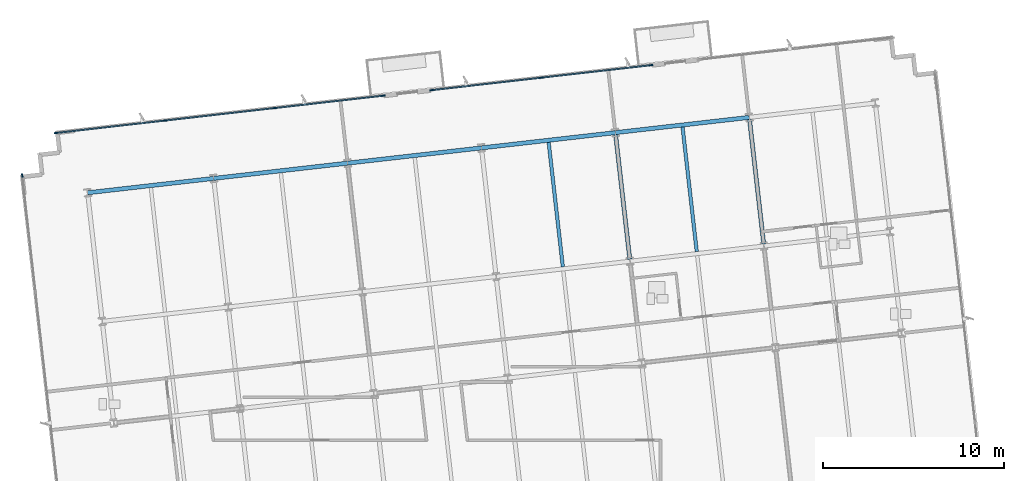
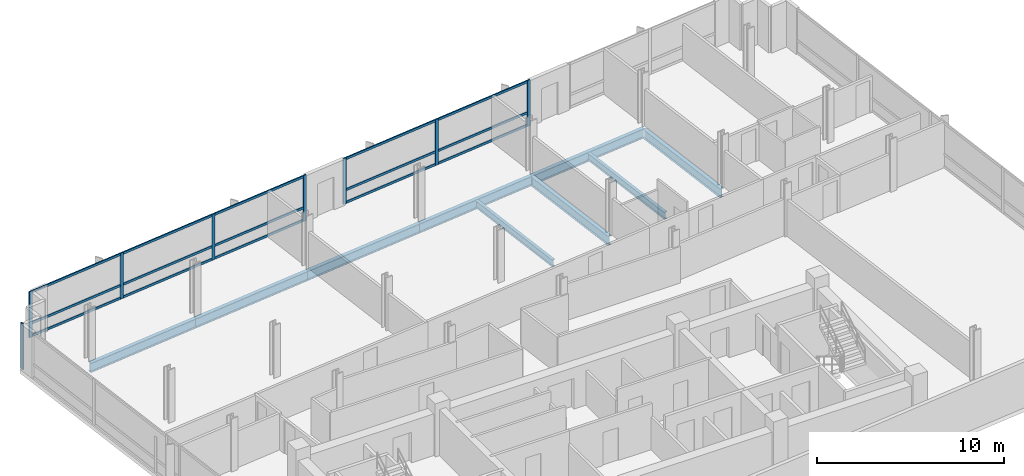
# One storey, part 5 of 14: 23 members, 9 beams, 3 elements without a shape of their own.
"""IFC4 building model written with IfcOpenShell, lengths in metres."""

import ifcopenshell
import ifcopenshell.guid

model = None  # the IFC model being written
_history = None  # IfcOwnerHistory: only IFC2X3 demands one
_inside = {}  # id of a spatial element -> (the spatial element, [elements in it])
_under = {}  # id of a project, library or spatial element -> (it, [spatial elements below it])
_declared = {}  # id of a project -> (the project, [libraries it declares])
_typed = {}  # id of a type object -> (the type object, [elements of that type])
_made_of = {}  # id of a material, layer set ... -> (it, [elements and type objects made of it])


def new_model(schema):
    """Start an empty IFC model of exactly this schema.

    Asked for "IFC4X3", IfcOpenShell would pick the latest addendum, in which some entities
    have other attributes; the version numbers below select the first issue.
    IFC2X3 requires an IfcOwnerHistory on every rooted entity: one is made here for all.
    """
    global model, _history
    if schema == "IFC4X3":
        model = ifcopenshell.file(schema_version=(4, 3, 0, 0))
    else:
        model = ifcopenshell.file(schema=schema)
    _inside.clear()
    _under.clear()
    _declared.clear()
    _typed.clear()
    _made_of.clear()
    _history = None
    if model.schema == "IFC2X3":
        org = make("IfcOrganization", Name="unknown")
        user = make(
            "IfcPersonAndOrganization",
            ThePerson=make("IfcPerson", FamilyName="unknown"),
            TheOrganization=org,
        )
        app = make(
            "IfcApplication",
            ApplicationDeveloper=org,
            Version="unknown",
            ApplicationFullName="unknown",
            ApplicationIdentifier="unknown",
        )
        _history = make(
            "IfcOwnerHistory",
            OwningUser=user,
            OwningApplication=app,
            ChangeAction="ADDED",
            CreationDate=0,
        )
    return model


def make(cls, **values):
    """One entity of the class cls with the attributes given. An attribute that is None is left unset."""
    return model.create_entity(
        cls, **{name: value for name, value in values.items() if value is not None}
    )


def rooted(cls, **values):
    """An entity with a GlobalId (a new one), such as an element, a storey or a relation."""
    return make(cls, GlobalId=ifcopenshell.guid.new(), OwnerHistory=_history, **values)


def si_unit(unit_type, name, prefix=None):
    """IfcSIUnit, for example si_unit("LENGTHUNIT", "METRE", prefix="MILLI")."""
    return make("IfcSIUnit", UnitType=unit_type, Prefix=prefix, Name=name)


def assignment(units):
    """IfcUnitAssignment: the units of a project."""
    return None if units is None else make("IfcUnitAssignment", Units=units)


def point(xyz):
    """IfcCartesianPoint."""
    return None if xyz is None else make("IfcCartesianPoint", Coordinates=xyz)


def direction(xyz):
    """IfcDirection."""
    return None if xyz is None else make("IfcDirection", DirectionRatios=xyz)


def frame(location, z_axis=None, x_axis=None):
    """IfcAxis2Placement3D, a coordinate frame: its origin and axes. An axis left out is left unset."""
    return make(
        "IfcAxis2Placement3D",
        Location=point(location),
        Axis=direction(z_axis),
        RefDirection=direction(x_axis),
    )


def frame_2d(location, x_axis=None):
    """IfcAxis2Placement2D, a coordinate frame in the plane: its origin and x axis."""
    return make(
        "IfcAxis2Placement2D", Location=point(location), RefDirection=direction(x_axis)
    )


def origin():
    """The frame at (0, 0, 0) with its axes left unset."""
    return frame((0.0, 0.0, 0.0))


def origin_2d():
    """The frame at (0, 0) in the plane with its x axis left unset."""
    return frame_2d((0.0, 0.0))


def place(relative_to, where):
    """IfcLocalPlacement: puts the frame where relative to a parent placement (None: the world)."""
    return make(
        "IfcLocalPlacement", PlacementRelTo=relative_to, RelativePlacement=where
    )


def context(
    kind, dimensions, precision=None, world=None, true_north=None, identifier=None
):
    """IfcGeometricRepresentationContext, for example the 3D "Model" context."""
    return make(
        "IfcGeometricRepresentationContext",
        ContextIdentifier=identifier,
        ContextType=kind,
        CoordinateSpaceDimension=dimensions,
        Precision=precision,
        WorldCoordinateSystem=world,
        TrueNorth=true_north,
    )


def subcontext(parent, identifier, kind, view, scale=None):
    """IfcGeometricRepresentationSubContext, for example "Body" below "Model"."""
    return make(
        "IfcGeometricRepresentationSubContext",
        ContextIdentifier=identifier,
        ContextType=kind,
        ParentContext=parent,
        TargetScale=scale,
        TargetView=view,
    )


def project(units=None, contexts=None):
    """IfcProject with its units and contexts."""
    return rooted(
        "IfcProject",
        Name="project",
        RepresentationContexts=contexts,
        UnitsInContext=assignment(units),
    )


def spatial(cls, under=None, at=None, **own):
    """A site, building, storey or space (cls), placed at a placement, below another one or the project."""
    s = rooted(cls, ObjectPlacement=at, **own)
    if under is not None:
        _under.setdefault(under.id(), (under, []))[1].append(s)
    return s


def profile(cls, at=None, kind="AREA", **sizes):
    """A parametric profile (cls). Its sizes go by their IFC names, for example OverallWidth=200.0."""
    return make(cls, ProfileType=kind, Position=at, **sizes)


def rectangle(**sizes):
    """IfcRectangleProfileDef."""
    return profile("IfcRectangleProfileDef", **sizes)


def i_section(**sizes):
    """IfcIShapeProfileDef."""
    return profile("IfcIShapeProfileDef", **sizes)


def extrude(swept, where, along, depth):
    """IfcExtrudedAreaSolid: the profile swept, set in the frame where, extruded along a direction by depth."""
    return make(
        "IfcExtrudedAreaSolid",
        SweptArea=swept,
        Position=where,
        ExtrudedDirection=direction(along),
        Depth=depth,
    )


def shape(context_of_items, identifier, shape_type, items):
    """IfcShapeRepresentation: the items that make up one representation, for example the "Body"."""
    return make(
        "IfcShapeRepresentation",
        ContextOfItems=context_of_items,
        RepresentationIdentifier=identifier,
        RepresentationType=shape_type,
        Items=items,
    )


def material(Name=None, Category=None):
    """IfcMaterial."""
    return make("IfcMaterial", Name=Name, Category=Category)


def material_profile(
    of_material, cross_section, Name=None, Category=None, Priority=None
):
    """IfcMaterialProfile: a cross section and its material."""
    return make(
        "IfcMaterialProfile",
        Name=Name,
        Material=of_material,
        Profile=cross_section,
        Priority=Priority,
        Category=Category,
    )


def profile_set(profiles, Name=None, composite=None):
    """IfcMaterialProfileSet."""
    return make(
        "IfcMaterialProfileSet",
        Name=Name,
        MaterialProfiles=profiles,
        CompositeProfile=composite,
    )


def made_of(thing, what):
    """Note that an element or type object is made of a material, layer set ...; save() writes the relation."""
    if what is not None:
        _made_of.setdefault(what.id(), (what, []))[1].append(thing)
    return thing


def type_object(cls, material=None, **own):
    """A type object (cls), such as IfcWallType, which elements share."""
    return made_of(rooted(cls, **own), material)


def element(
    cls,
    number,
    at=None,
    inside=None,
    cuts=None,
    type_object=None,
    material=None,
    context=None,
    identifier="Body",
    shape_type=None,
    held_by="IfcProductDefinitionShape",
    body=None,
    shapes=None,
    **own,
):
    """One element of the class cls, such as IfcWall. Its Tag is "e" and its number.

    at: its placement. inside: the storey or other place that contains it. cuts: it is an
    opening in that element (IfcRelVoidsElement). A single representation is given by context,
    identifier, shape_type and body (its items); several are given by shapes. held_by: the class
    of the entity that holds the representations. save() writes the other relations.
    """
    e = rooted(cls, Tag="e%d" % number, ObjectPlacement=at, **own)
    if body is not None:
        shapes = [shape(context, identifier, shape_type, body)]
    if shapes is not None:
        e.Representation = make(held_by, Representations=shapes)
    if inside is not None:
        _inside.setdefault(inside.id(), (inside, []))[1].append(e)
    if cuts is not None:
        rooted(
            "IfcRelVoidsElement", RelatingBuildingElement=cuts, RelatedOpeningElement=e
        )
    if type_object is not None:
        _typed.setdefault(type_object.id(), (type_object, []))[1].append(e)
    return made_of(e, material)


def aggregate(whole, parts):
    """IfcRelAggregates: a whole, such as a stair, and the parts it consists of."""
    return rooted("IfcRelAggregates", RelatingObject=whole, RelatedObjects=parts)


def save(model, path):
    """Write the relations noted so far, then the file.

    IfcRelAggregates (storeys below a building ...), IfcRelContainedInSpatialStructure (elements
    in a storey), IfcRelDefinesByType, IfcRelAssociatesMaterial and IfcRelDeclares: one each for
    every whole, place, type object, material and project.
    """
    for whole, parts in _under.values():
        aggregate(whole, parts)
    for where, things in _inside.values():
        rooted(
            "IfcRelContainedInSpatialStructure",
            RelatedElements=things,
            RelatingStructure=where,
        )
    for kind, things in _typed.values():
        rooted("IfcRelDefinesByType", RelatedObjects=things, RelatingType=kind)
    for what, things in _made_of.values():
        rooted("IfcRelAssociatesMaterial", RelatedObjects=things, RelatingMaterial=what)
    for by, libraries in _declared.values():
        rooted("IfcRelDeclares", RelatingContext=by, RelatedDefinitions=libraries)
    model.write(path)


model = new_model("IFC4")

# Units and contexts
model_context = context("Model", 3, precision=1e-05, world=origin(), true_north=direction((0.0, 1.0)))
body_context = subcontext(model_context, "Body", "Model", "MODEL_VIEW")
ifc_project = project(units=[si_unit("LENGTHUNIT", "METRE"), si_unit("AREAUNIT", "SQUARE_METRE"), si_unit("VOLUMEUNIT", "CUBIC_METRE"), si_unit("PLANEANGLEUNIT", "RADIAN"), si_unit("MASSUNIT", "GRAM", prefix="KILO")], contexts=[model_context])

# Site, building, storey
site_placement = place(None, origin())
site = spatial("IfcSite", under=ifc_project, at=site_placement, CompositionType="ELEMENT")
building_placement = place(site_placement, origin())
building = spatial("IfcBuilding", under=site, at=building_placement, Name="Solmavex Isthmus Hotel", CompositionType="ELEMENT")
storey_placement = place(building_placement, frame((0.0, 0.0, 236.550048828125)))
storey = spatial("IfcBuildingStorey", under=building, at=storey_placement, Name="L64", CompositionType="ELEMENT", Elevation=236.550048828125)

# Beams
ifc_material_1 = material(Name="Steel ASTM A992 Grade 50", Category="steel")
ifc_material_profile_1 = material_profile(ifc_material_1, i_section(OverallWidth=0.1904296875, OverallDepth=0.456787109375, WebThickness=0.009033203125, FlangeThickness=0.014404296875, FilletRadius=0.0126953125, at=origin_2d()), Name="W18X50")
ifc_profile_set_1 = profile_set([ifc_material_profile_1], Name="Steel ASTM A992 Grade 50")
beam_type_1 = type_object("IfcBeamType", Name="BM-BJ-W18X50", PredefinedType="JOIST", material=ifc_profile_set_1)
for number, where, z_axis, x_axis, name in (
    (1, (7.009033203125, 10.1328125, -0.488525390625), (-0.113202453846, 0.993571942258, 0.0), (-0.993571942258, -0.113202453846, 0.0), "Secondary Floor Joist L64-J14"),
    (2, (14.4072265625, 10.975830078125, -0.488525390625), (-0.113202453846, 0.993571942258, 0.0), (-0.993571942258, -0.113202453846, 0.0), "Secondary Floor Joist L64-J18"),
):
    element("IfcBeam", number, at=place(storey_placement, frame(where, z_axis=z_axis, x_axis=x_axis)), inside=storey, type_object=beam_type_1, Name=name, PredefinedType="JOIST", context=body_context, shape_type="SweptSolid", body=[
        extrude(i_section(OverallWidth=0.1904296875, OverallDepth=0.456787109375, WebThickness=0.009033203125, FlangeThickness=0.014404296875, FilletRadius=0.0126953125, at=origin_2d()), origin(), (0.0, 0.0, 1.0), 6.9228515625),
    ])
ifc_material_profile_2 = material_profile(ifc_material_1, i_section(OverallWidth=0.227783203125, OverallDepth=0.602783203125, WebThickness=0.010498046875, FlangeThickness=0.014892578125, FilletRadius=0.01513671875, at=origin_2d()), Name="W24X68")
ifc_profile_set_2 = profile_set([ifc_material_profile_2], Name="Steel ASTM A992 Grade 50")
beam_type_2 = type_object("IfcBeamType", Name="BM-BM-W24X68", PredefinedType="BEAM", material=ifc_profile_set_2)
for number, where, z_axis, x_axis, name in (
    (3, (10.708251953125, 10.55419921875, -0.561279296875), (-0.113202453846, 0.993571942258, 0.0), (-0.993571942258, -0.113202453846, 0.0), "Floor Beam L64-VG39"),
    (4, (18.106201171875, 11.397216796875, -0.561279296875), (-0.113202453846, 0.993571942258, 0.0), (-0.993571942258, -0.113202453846, 0.0), "Floor Beam L64-VG42"),
):
    element("IfcBeam", number, at=place(storey_placement, frame(where, z_axis=z_axis, x_axis=x_axis)), inside=storey, type_object=beam_type_2, Name=name, PredefinedType="BEAM", context=body_context, shape_type="SweptSolid", body=[
        extrude(i_section(OverallWidth=0.227783203125, OverallDepth=0.602783203125, WebThickness=0.010498046875, FlangeThickness=0.014892578125, FilletRadius=0.01513671875, at=origin_2d()), origin(), (0.0, 0.0, 1.0), 6.9228515625),
    ])
ifc_material_profile_3 = material_profile(ifc_material_1, i_section(OverallWidth=0.230224609375, OverallDepth=0.617431640625, WebThickness=0.01318359375, FlangeThickness=0.022216796875, FilletRadius=0.01513671875, at=origin_2d()), Name="W24X94")
ifc_profile_set_3 = profile_set([ifc_material_profile_3], Name="Steel ASTM A992 Grade 50")
beam_type_3 = type_object("IfcBeamType", Name="BM-SP-W24X94", PredefinedType="SPANDREL", material=ifc_profile_set_3)
beam_1_placement = place(storey_placement, frame((-19.245849609375, 14.22509765625, -0.56884765625), z_axis=(0.99357359356, 0.113187959519, 0.0), x_axis=(-0.113187959519, 0.99357359356, 0.0)))
element("IfcBeam", 5, at=beam_1_placement, inside=storey, type_object=beam_type_3, Name="Floor Girder L64-UG18", PredefinedType="SPANDREL", context=body_context, shape_type="SweptSolid", body=[
    extrude(i_section(OverallWidth=0.230224609375, OverallDepth=0.617431640625, WebThickness=0.01318359375, FlangeThickness=0.022216796875, FilletRadius=0.01513671875, at=origin_2d()), origin(), (0.0, 0.0, 1.0), 7.0078125),
])
beam_2_placement = place(storey_placement, frame((-12.282958984375, 15.018310546875, -0.56884765625), z_axis=(0.9935703463, 0.113216460607, 0.0), x_axis=(-0.113216460607, 0.9935703463, 0.0)))
element("IfcBeam", 6, at=beam_2_placement, inside=storey, type_object=beam_type_3, Name="Floor Girder L64-UG19", PredefinedType="SPANDREL", context=body_context, shape_type="SweptSolid", body=[
    extrude(i_section(OverallWidth=0.230224609375, OverallDepth=0.617431640625, WebThickness=0.01318359375, FlangeThickness=0.022216796875, FilletRadius=0.01513671875, at=origin_2d()), origin(), (0.0, 0.0, 1.0), 7.446044921875),
])
beam_3_placement = place(storey_placement, frame((-4.884765625, 15.861328125, -0.56884765625), z_axis=(0.993573613989, 0.113187780196, 0.0), x_axis=(-0.113187780196, 0.993573613989, 0.0)))
element("IfcBeam", 7, at=beam_3_placement, inside=storey, type_object=beam_type_3, Name="Floor Girder L64-UG20", PredefinedType="SPANDREL", context=body_context, shape_type="SweptSolid", body=[
    extrude(i_section(OverallWidth=0.230224609375, OverallDepth=0.617431640625, WebThickness=0.01318359375, FlangeThickness=0.022216796875, FilletRadius=0.01513671875, at=origin_2d()), origin(), (0.0, 0.0, 1.0), 7.44580078125),
])
for number, where, z_axis, x_axis, name in (
    (8, (2.51318359375, 16.7041015625, -0.56884765625), (0.9935703463, 0.113216460607, 0.0), (-0.113216460607, 0.9935703463, 0.0), "Floor Girder L64-UG21"),
    (9, (9.911376953125, 17.547119140625, -0.56884765625), (0.9935703463, 0.113216460607, 0.0), (-0.113216460607, 0.9935703463, 0.0), "Floor Girder L64-UG22"),
):
    element("IfcBeam", number, at=place(storey_placement, frame(where, z_axis=z_axis, x_axis=x_axis)), inside=storey, type_object=beam_type_3, Name=name, PredefinedType="SPANDREL", context=body_context, shape_type="SweptSolid", body=[
        extrude(i_section(OverallWidth=0.230224609375, OverallDepth=0.617431640625, WebThickness=0.01318359375, FlangeThickness=0.022216796875, FilletRadius=0.01513671875, at=origin_2d()), origin(), (0.0, 0.0, 1.0), 7.446044921875),
    ])

# Curtain wall, members
ifc_material_2 = material(Name="Aluminium alloy 6063-T6", Category="aluminium")
curtain_wall_type = type_object("IfcCurtainWallType", Name="CW-SYS-04", PredefinedType="NOTDEFINED", material=ifc_material_2)
curtain_wall_1_placement = place(storey_placement, origin())
curtain_wall_1 = element("IfcCurtainWall", 10, at=curtain_wall_1_placement, inside=storey, type_object=curtain_wall_type, Name="Stick Curtain Wall CWL-L64-N1", PredefinedType="NOTDEFINED")
ifc_material_profile_4 = material_profile(ifc_material_2, rectangle(XDim=0.074951171875, YDim=0.199951171875, at=origin_2d()), Name="CWM-75X200")
ifc_profile_set_4 = profile_set([ifc_material_profile_4], Name="Aluminium alloy 6063-T6")
member_type_1 = type_object("IfcMemberType", Name="CW-SYS-04-MUL", PredefinedType="MULLION", material=ifc_profile_set_4)
member_1_placement = place(storey_placement, frame((-20.99365234375, 17.528564453125, 0.0), z_axis=(0.0, 0.0, 1.0), x_axis=(-0.113202953513, 0.993571885329, 0.0)))
member_1 = element("IfcMember", 11, at=member_1_placement, type_object=member_type_1, Name="CW-04 mullion 1", PredefinedType="MULLION", context=body_context, shape_type="SweptSolid", body=[
    extrude(rectangle(XDim=0.074951171875, YDim=0.199951171875, at=origin_2d()), origin(), (0.0, 0.0, 1.0), 3.0),
])
member_2_placement = place(storey_placement, frame((-14.977783203125, 18.2138671875, 0.0), z_axis=(0.0, 0.0, 1.0), x_axis=(-0.113202953513, 0.993571885329, 0.0)))
member_2 = element("IfcMember", 12, at=member_2_placement, type_object=member_type_1, Name="CW-04 mullion 2", PredefinedType="MULLION", context=body_context, shape_type="SweptSolid", body=[
    extrude(rectangle(XDim=0.074951171875, YDim=0.199951171875, at=origin_2d()), origin(), (0.0, 0.0, 1.0), 3.0),
])
member_3_placement = place(storey_placement, frame((-8.924560546875, 18.903564453125, 0.0), z_axis=(0.0, 0.0, 1.0), x_axis=(-0.113202953513, 0.993571885329, 0.0)))
member_3 = element("IfcMember", 13, at=member_3_placement, type_object=member_type_1, Name="CW-04 mullion 3", PredefinedType="MULLION", context=body_context, shape_type="SweptSolid", body=[
    extrude(rectangle(XDim=0.074951171875, YDim=0.199951171875, at=origin_2d()), origin(), (0.0, 0.0, 1.0), 3.0),
])
member_4_placement = place(storey_placement, frame((-2.90869140625, 19.5888671875, 0.0), z_axis=(0.0, 0.0, 1.0), x_axis=(-0.113202953513, 0.993571885329, 0.0)))
member_4 = element("IfcMember", 14, at=member_4_placement, type_object=member_type_1, Name="CW-04 mullion 4", PredefinedType="MULLION", context=body_context, shape_type="SweptSolid", body=[
    extrude(rectangle(XDim=0.074951171875, YDim=0.199951171875, at=origin_2d()), origin(), (0.0, 0.0, 1.0), 3.0),
])

curtain_wall_2_placement = place(storey_placement, origin())
curtain_wall_2 = element("IfcCurtainWall", 15, at=curtain_wall_2_placement, inside=storey, type_object=curtain_wall_type, Name="Stick Curtain Wall CWL-L64-N2", PredefinedType="NOTDEFINED")
member_5_placement = place(storey_placement, frame((-0.250732421875, 19.891845703125, 0.0), z_axis=(0.0, 0.0, 1.0), x_axis=(-0.113202856801, 0.993571896348, 0.0)))
member_5 = element("IfcMember", 16, at=member_5_placement, type_object=member_type_1, Name="CW-04 mullion 1", PredefinedType="MULLION", context=body_context, shape_type="SweptSolid", body=[
    extrude(rectangle(XDim=0.074951171875, YDim=0.199951171875, at=origin_2d()), origin(), (0.0, 0.0, 1.0), 3.0),
])
member_6_placement = place(storey_placement, frame((5.818359375, 20.583251953125, 0.0), z_axis=(0.0, 0.0, 1.0), x_axis=(-0.113202856801, 0.993571896348, 0.0)))
member_6 = element("IfcMember", 17, at=member_6_placement, type_object=member_type_1, Name="CW-04 mullion 2", PredefinedType="MULLION", context=body_context, shape_type="SweptSolid", body=[
    extrude(rectangle(XDim=0.074951171875, YDim=0.199951171875, at=origin_2d()), origin(), (0.0, 0.0, 1.0), 3.0),
])
member_7_placement = place(storey_placement, frame((11.8876953125, 21.27490234375, 0.0), z_axis=(0.0, 0.0, 1.0), x_axis=(-0.113202856801, 0.993571896348, 0.0)))
member_7 = element("IfcMember", 18, at=member_7_placement, type_object=member_type_1, Name="CW-04 mullion 3", PredefinedType="MULLION", context=body_context, shape_type="SweptSolid", body=[
    extrude(rectangle(XDim=0.074951171875, YDim=0.199951171875, at=origin_2d()), origin(), (0.0, 0.0, 1.0), 3.0),
])

# Curtain wall, member
curtain_wall_3_placement = place(storey_placement, origin())
curtain_wall_3 = element("IfcCurtainWall", 19, at=curtain_wall_3_placement, inside=storey, type_object=curtain_wall_type, Name="Stick Curtain Wall CWL-L64-W1", PredefinedType="NOTDEFINED")
member_8_placement = place(storey_placement, frame((-22.85791015625, 15.184814453125, 0.0), z_axis=(0.0, 0.0, 1.0), x_axis=(-0.993571836648, -0.11320338078, 0.0)))
member_8 = element("IfcMember", 20, at=member_8_placement, type_object=member_type_1, Name="CW-04 mullion 6", PredefinedType="MULLION", context=body_context, shape_type="SweptSolid", body=[
    extrude(rectangle(XDim=0.074951171875, YDim=0.199951171875, at=origin_2d()), origin(), (0.0, 0.0, 1.0), 3.0),
])
aggregate(curtain_wall_3, [member_8])

# Member
ifc_material_profile_5 = material_profile(ifc_material_2, rectangle(XDim=0.074951171875, YDim=0.14990234375, at=origin_2d()), Name="CWT-75X150")
ifc_profile_set_5 = profile_set([ifc_material_profile_5], Name="Aluminium alloy 6063-T6")
member_type_2 = type_object("IfcMemberType", Name="CW-SYS-04-TRN", PredefinedType="USERDEFINED", material=ifc_profile_set_5)
member_9_placement = place(storey_placement, frame((-20.956298828125, 17.53271484375, 0.074951171875), z_axis=(0.993570647741, 0.113213815179, 0.0), x_axis=(-0.113213815179, 0.993570647741, 0.0)))
member_9 = element("IfcMember", 21, at=member_9_placement, type_object=member_type_2, Name="CW-04 transom 1.1", ObjectType="TRANSOM", PredefinedType="USERDEFINED", context=body_context, shape_type="SweptSolid", body=[
    extrude(rectangle(XDim=0.074951171875, YDim=0.14990234375, at=origin_2d()), origin(), (0.0, 0.0, 1.0), 5.979736328125),
])

member_10_placement = place(storey_placement, frame((-20.956298828125, 17.53271484375, 0.89990234375), z_axis=(0.993570647741, 0.113213815179, 0.0), x_axis=(-0.113213815179, 0.993570647741, 0.0)))
member_10 = element("IfcMember", 22, at=member_10_placement, type_object=member_type_2, Name="CW-04 transom 1.2", ObjectType="TRANSOM", PredefinedType="USERDEFINED", context=body_context, shape_type="SweptSolid", body=[
    extrude(rectangle(XDim=0.074951171875, YDim=0.14990234375, at=origin_2d()), origin(), (0.0, 0.0, 1.0), 5.979736328125),
])

member_11_placement = place(storey_placement, frame((-20.956298828125, 17.53271484375, 2.925048828125), z_axis=(0.993570647741, 0.113213815179, 0.0), x_axis=(-0.113213815179, 0.993570647741, 0.0)))
member_11 = element("IfcMember", 23, at=member_11_placement, type_object=member_type_2, Name="CW-04 transom 1.3", ObjectType="TRANSOM", PredefinedType="USERDEFINED", context=body_context, shape_type="SweptSolid", body=[
    extrude(rectangle(XDim=0.074951171875, YDim=0.14990234375, at=origin_2d()), origin(), (0.0, 0.0, 1.0), 5.979736328125),
])

member_12_placement = place(storey_placement, frame((-14.9404296875, 18.218017578125, 0.074951171875), z_axis=(0.993567543212, 0.113241057379, 0.0), x_axis=(-0.113241057379, 0.993567543212, 0.0)))
member_12 = element("IfcMember", 24, at=member_12_placement, type_object=member_type_2, Name="CW-04 transom 2.1", ObjectType="TRANSOM", PredefinedType="USERDEFINED", context=body_context, shape_type="SweptSolid", body=[
    extrude(rectangle(XDim=0.074951171875, YDim=0.14990234375, at=origin_2d()), origin(), (0.0, 0.0, 1.0), 6.017333984375),
])

member_13_placement = place(storey_placement, frame((-14.9404296875, 18.218017578125, 0.89990234375), z_axis=(0.993567543212, 0.113241057379, 0.0), x_axis=(-0.113241057379, 0.993567543212, 0.0)))
member_13 = element("IfcMember", 25, at=member_13_placement, type_object=member_type_2, Name="CW-04 transom 2.2", ObjectType="TRANSOM", PredefinedType="USERDEFINED", context=body_context, shape_type="SweptSolid", body=[
    extrude(rectangle(XDim=0.074951171875, YDim=0.14990234375, at=origin_2d()), origin(), (0.0, 0.0, 1.0), 6.017333984375),
])

member_14_placement = place(storey_placement, frame((-14.9404296875, 18.218017578125, 2.925048828125), z_axis=(0.993567543212, 0.113241057379, 0.0), x_axis=(-0.113241057379, 0.993567543212, 0.0)))
member_14 = element("IfcMember", 26, at=member_14_placement, type_object=member_type_2, Name="CW-04 transom 2.3", ObjectType="TRANSOM", PredefinedType="USERDEFINED", context=body_context, shape_type="SweptSolid", body=[
    extrude(rectangle(XDim=0.074951171875, YDim=0.14990234375, at=origin_2d()), origin(), (0.0, 0.0, 1.0), 6.017333984375),
])

member_15_placement = place(storey_placement, frame((-8.88720703125, 18.90771484375, 0.074951171875), z_axis=(0.993570647741, 0.113213815179, 0.0), x_axis=(-0.113213815179, 0.993570647741, 0.0)))
member_15 = element("IfcMember", 27, at=member_15_placement, type_object=member_type_2, Name="CW-04 transom 3.1", ObjectType="TRANSOM", PredefinedType="USERDEFINED", context=body_context, shape_type="SweptSolid", body=[
    extrude(rectangle(XDim=0.074951171875, YDim=0.14990234375, at=origin_2d()), origin(), (0.0, 0.0, 1.0), 5.979736328125),
])

member_16_placement = place(storey_placement, frame((-8.88720703125, 18.90771484375, 0.89990234375), z_axis=(0.993570647741, 0.113213815179, 0.0), x_axis=(-0.113213815179, 0.993570647741, 0.0)))
member_16 = element("IfcMember", 28, at=member_16_placement, type_object=member_type_2, Name="CW-04 transom 3.2", ObjectType="TRANSOM", PredefinedType="USERDEFINED", context=body_context, shape_type="SweptSolid", body=[
    extrude(rectangle(XDim=0.074951171875, YDim=0.14990234375, at=origin_2d()), origin(), (0.0, 0.0, 1.0), 5.979736328125),
])

member_17_placement = place(storey_placement, frame((-8.88720703125, 18.90771484375, 2.925048828125), z_axis=(0.993570647741, 0.113213815179, 0.0), x_axis=(-0.113213815179, 0.993570647741, 0.0)))
member_17 = element("IfcMember", 29, at=member_17_placement, type_object=member_type_2, Name="CW-04 transom 3.3", ObjectType="TRANSOM", PredefinedType="USERDEFINED", context=body_context, shape_type="SweptSolid", body=[
    extrude(rectangle(XDim=0.074951171875, YDim=0.14990234375, at=origin_2d()), origin(), (0.0, 0.0, 1.0), 5.979736328125),
])

aggregate(curtain_wall_1, [member_1, member_2, member_3, member_4, member_9, member_10, member_11, member_12, member_13, member_14, member_15, member_16, member_17])

member_18_placement = place(storey_placement, frame((-0.213623046875, 19.89599609375, 0.074951171875), z_axis=(0.993570439577, 0.113215642025, 0.0), x_axis=(-0.113215642025, 0.993570439577, 0.0)))
member_18 = element("IfcMember", 30, at=member_18_placement, type_object=member_type_2, Name="CW-04 transom 1.1", ObjectType="TRANSOM", PredefinedType="USERDEFINED", context=body_context, shape_type="SweptSolid", body=[
    extrude(rectangle(XDim=0.074951171875, YDim=0.14990234375, at=origin_2d()), origin(), (0.0, 0.0, 1.0), 6.03369140625),
])

member_19_placement = place(storey_placement, frame((-0.213623046875, 19.89599609375, 0.89990234375), z_axis=(0.993570439577, 0.113215642025, 0.0), x_axis=(-0.113215642025, 0.993570439577, 0.0)))
member_19 = element("IfcMember", 31, at=member_19_placement, type_object=member_type_2, Name="CW-04 transom 1.2", ObjectType="TRANSOM", PredefinedType="USERDEFINED", context=body_context, shape_type="SweptSolid", body=[
    extrude(rectangle(XDim=0.074951171875, YDim=0.14990234375, at=origin_2d()), origin(), (0.0, 0.0, 1.0), 6.03369140625),
])

member_20_placement = place(storey_placement, frame((-0.213623046875, 19.89599609375, 2.925048828125), z_axis=(0.993570439577, 0.113215642025, 0.0), x_axis=(-0.113215642025, 0.993570439577, 0.0)))
member_20 = element("IfcMember", 32, at=member_20_placement, type_object=member_type_2, Name="CW-04 transom 1.3", ObjectType="TRANSOM", PredefinedType="USERDEFINED", context=body_context, shape_type="SweptSolid", body=[
    extrude(rectangle(XDim=0.074951171875, YDim=0.14990234375, at=origin_2d()), origin(), (0.0, 0.0, 1.0), 6.03369140625),
])

member_21_placement = place(storey_placement, frame((5.855712890625, 20.587646484375, 0.074951171875), z_axis=(0.993574472077, 0.113180247552, 0.0), x_axis=(-0.113180247552, 0.993574472077, 0.0)))
member_21 = element("IfcMember", 33, at=member_21_placement, type_object=member_type_2, Name="CW-04 transom 2.1", ObjectType="TRANSOM", PredefinedType="USERDEFINED", context=body_context, shape_type="SweptSolid", body=[
    extrude(rectangle(XDim=0.074951171875, YDim=0.14990234375, at=origin_2d()), origin(), (0.0, 0.0, 1.0), 6.033447265625),
])

member_22_placement = place(storey_placement, frame((5.855712890625, 20.587646484375, 0.89990234375), z_axis=(0.993574472077, 0.113180247552, 0.0), x_axis=(-0.113180247552, 0.993574472077, 0.0)))
member_22 = element("IfcMember", 34, at=member_22_placement, type_object=member_type_2, Name="CW-04 transom 2.2", ObjectType="TRANSOM", PredefinedType="USERDEFINED", context=body_context, shape_type="SweptSolid", body=[
    extrude(rectangle(XDim=0.074951171875, YDim=0.14990234375, at=origin_2d()), origin(), (0.0, 0.0, 1.0), 6.033447265625),
])

member_23_placement = place(storey_placement, frame((5.855712890625, 20.587646484375, 2.925048828125), z_axis=(0.993574472077, 0.113180247552, 0.0), x_axis=(-0.113180247552, 0.993574472077, 0.0)))
member_23 = element("IfcMember", 35, at=member_23_placement, type_object=member_type_2, Name="CW-04 transom 2.3", ObjectType="TRANSOM", PredefinedType="USERDEFINED", context=body_context, shape_type="SweptSolid", body=[
    extrude(rectangle(XDim=0.074951171875, YDim=0.14990234375, at=origin_2d()), origin(), (0.0, 0.0, 1.0), 6.033447265625),
])

aggregate(curtain_wall_2, [member_5, member_6, member_7, member_18, member_19, member_20, member_21, member_22, member_23])

save(model, "model.ifc")
